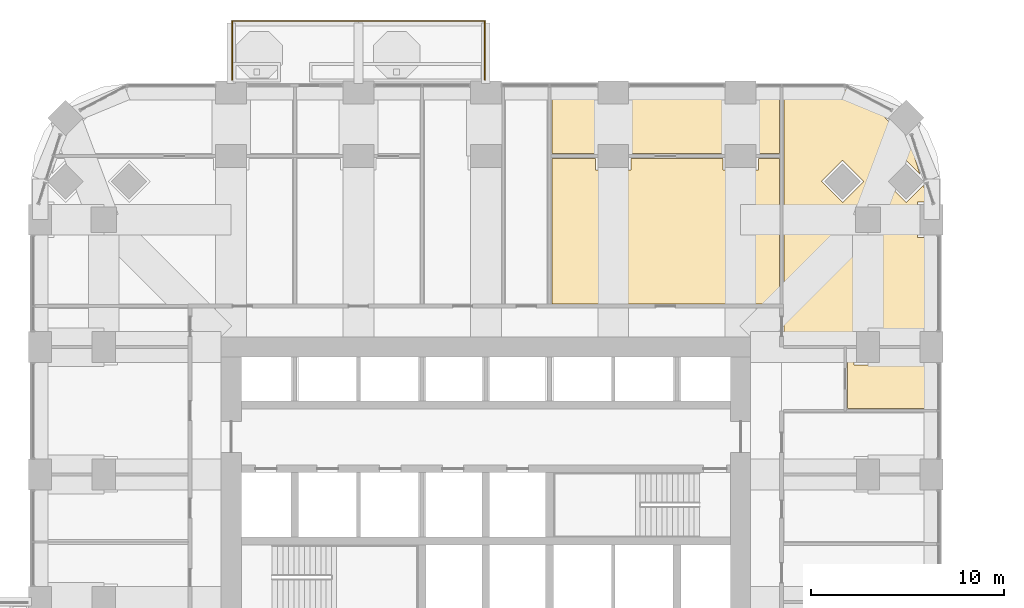
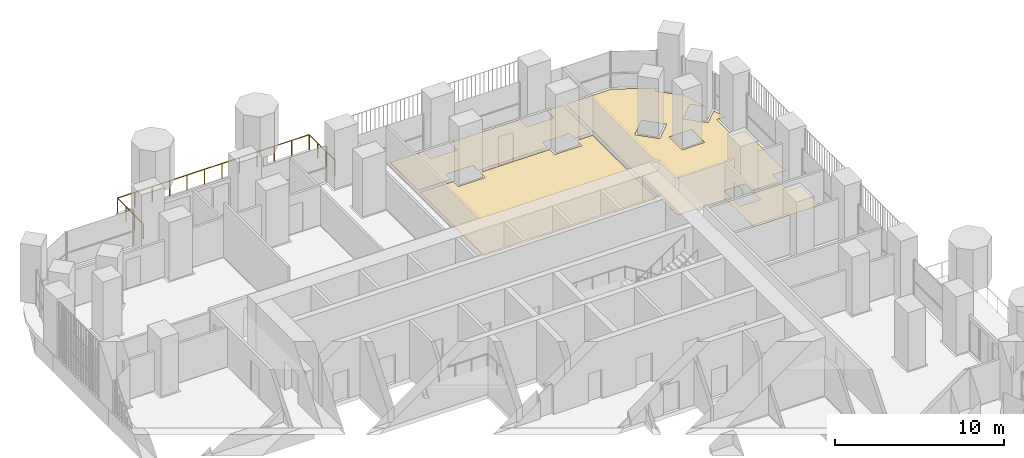
# One storey, part 20 of 21: 4 coverings, 1 railing.
"""IFC4 building model written with IfcOpenShell, lengths in metres."""

from ifc_helpers import new_model, si_unit, direction, frame, origin, place, context, subcontext, project, spatial, polyline, outline, extrude, material, layer, layer_set, type_object, element, save


model = new_model("IFC4")

# Units and contexts
model_context = context("Model", 3, precision=1e-05, world=origin(), true_north=direction((0.0, 1.0)))
body_context = subcontext(model_context, "Body", "Model", "MODEL_VIEW")
ifc_project = project(units=[si_unit("LENGTHUNIT", "METRE"), si_unit("AREAUNIT", "SQUARE_METRE"), si_unit("VOLUMEUNIT", "CUBIC_METRE"), si_unit("PLANEANGLEUNIT", "RADIAN"), si_unit("MASSUNIT", "GRAM", prefix="KILO")], contexts=[model_context])

# Site, building, storey
site_placement = place(None, origin())
site = spatial("IfcSite", under=ifc_project, at=site_placement, CompositionType="ELEMENT")
building_placement = place(site_placement, origin())
building = spatial("IfcBuilding", under=site, at=building_placement, Name="Cobogo Forest Laboratory Tower", CompositionType="ELEMENT")
storey_placement = place(building_placement, frame((0.0, 0.0, 141.0)))
storey = spatial("IfcBuildingStorey", under=building, at=storey_placement, Name="L32", CompositionType="ELEMENT", Elevation=141.0)

# Railing
ifc_material_1 = material(Name="Laminated glass balustrade", Category="glass")
railing_type = type_object("IfcRailingType", Name="BG1 glass balustrade 1100", PredefinedType="GUARDRAIL", material=ifc_material_1)
railing_placement = place(storey_placement, frame((13.25, 46.85009765625, 0.0)))
element("IfcRailing", 1, at=railing_placement, inside=storey, type_object=railing_type, Name="Balcony balustrade BAL-N1 L32", PredefinedType="GUARDRAIL", context=body_context, shape_type="SweptSolid", body=[
    extrude(outline(polyline([(0.022216796875, 0.00927734375), (0.00927734375, 0.022216796875), (-0.00927734375, 0.022216796875), (-0.022216796875, 0.00927734375), (-0.022216796875, -0.00927734375), (-0.00927734375, -0.022216796875), (0.00927734375, -0.022216796875), (0.022216796875, -0.00927734375), (0.022216796875, 0.00927734375)])), frame((0.0, 0.0, 1.077880859375), z_axis=(0.0, 1.0, 0.0), x_axis=(-1.0, 0.0, 0.0)), (0.0, 0.0, 1.0), 3.0498046875),
    extrude(outline(polyline([(0.022216796875, 0.00927734375), (0.00927734375, 0.022216796875), (-0.00927734375, 0.022216796875), (-0.022216796875, 0.00927734375), (-0.022216796875, -0.00927734375), (-0.00927734375, -0.022216796875), (0.00927734375, -0.022216796875), (0.022216796875, -0.00927734375), (0.022216796875, 0.00927734375)])), frame((0.0, 3.0498046875, 1.077880859375), z_axis=(1.0, 0.0, 0.0), x_axis=(0.0, 1.0, 0.0)), (0.0, 0.0, 1.0), 13.10009765625),
    extrude(outline(polyline([(0.022216796875, 0.00927734375), (0.00927734375, 0.022216796875), (-0.00927734375, 0.022216796875), (-0.022216796875, 0.00927734375), (-0.022216796875, -0.00927734375), (-0.00927734375, -0.022216796875), (0.00927734375, -0.022216796875), (0.022216796875, -0.00927734375), (0.022216796875, 0.00927734375)])), frame((13.10009765625, 3.0498046875, 1.077880859375), z_axis=(0.0, -1.0, 0.0), x_axis=(1.0, 0.0, 0.0)), (0.0, 0.0, 1.0), 3.0498046875),
    extrude(outline(polyline([(0.019287109375, 0.008056640625), (0.008056640625, 0.019287109375), (-0.008056640625, 0.019287109375), (-0.019287109375, 0.008056640625), (-0.019287109375, -0.008056640625), (-0.008056640625, -0.019287109375), (0.008056640625, -0.019287109375), (0.019287109375, -0.008056640625), (0.019287109375, 0.008056640625)])), origin(), (0.0, 0.0, 1.0), 1.077880859375),
    extrude(outline(polyline([(0.019287109375, 0.008056640625), (0.008056640625, 0.019287109375), (-0.008056640625, 0.019287109375), (-0.019287109375, 0.008056640625), (-0.019287109375, -0.008056640625), (-0.008056640625, -0.019287109375), (0.008056640625, -0.019287109375), (0.019287109375, -0.008056640625), (0.019287109375, 0.008056640625)])), frame((0.0, 1.0166015625, 0.0)), (0.0, 0.0, 1.0), 1.077880859375),
    extrude(outline(polyline([(0.019287109375, 0.008056640625), (0.008056640625, 0.019287109375), (-0.008056640625, 0.019287109375), (-0.019287109375, 0.008056640625), (-0.019287109375, -0.008056640625), (-0.008056640625, -0.019287109375), (0.008056640625, -0.019287109375), (0.019287109375, -0.008056640625), (0.019287109375, 0.008056640625)])), frame((0.0, 2.033203125, 0.0)), (0.0, 0.0, 1.0), 1.077880859375),
    extrude(outline(polyline([(0.019287109375, 0.008056640625), (0.008056640625, 0.019287109375), (-0.008056640625, 0.019287109375), (-0.019287109375, 0.008056640625), (-0.019287109375, -0.008056640625), (-0.008056640625, -0.019287109375), (0.008056640625, -0.019287109375), (0.019287109375, -0.008056640625), (0.019287109375, 0.008056640625)])), frame((0.0, 3.0498046875, 0.0)), (0.0, 0.0, 1.0), 1.077880859375),
    extrude(outline(polyline([(0.019287109375, 0.008056640625), (0.008056640625, 0.019287109375), (-0.008056640625, 0.019287109375), (-0.019287109375, 0.008056640625), (-0.019287109375, -0.008056640625), (-0.008056640625, -0.019287109375), (0.008056640625, -0.019287109375), (0.019287109375, -0.008056640625), (0.019287109375, 0.008056640625)])), frame((1.19091796875, 3.0498046875, 0.0)), (0.0, 0.0, 1.0), 1.077880859375),
    extrude(outline(polyline([(0.019287109375, 0.008056640625), (0.008056640625, 0.019287109375), (-0.008056640625, 0.019287109375), (-0.019287109375, 0.008056640625), (-0.019287109375, -0.008056640625), (-0.008056640625, -0.019287109375), (0.008056640625, -0.019287109375), (0.019287109375, -0.008056640625), (0.019287109375, 0.008056640625)])), frame((2.3818359375, 3.0498046875, 0.0)), (0.0, 0.0, 1.0), 1.077880859375),
    extrude(outline(polyline([(0.019287109375, 0.008056640625), (0.008056640625, 0.019287109375), (-0.008056640625, 0.019287109375), (-0.019287109375, 0.008056640625), (-0.019287109375, -0.008056640625), (-0.008056640625, -0.019287109375), (0.008056640625, -0.019287109375), (0.019287109375, -0.008056640625), (0.019287109375, 0.008056640625)])), frame((3.57275390625, 3.0498046875, 0.0)), (0.0, 0.0, 1.0), 1.077880859375),
    extrude(outline(polyline([(0.019287109375, 0.008056640625), (0.008056640625, 0.019287109375), (-0.008056640625, 0.019287109375), (-0.019287109375, 0.008056640625), (-0.019287109375, -0.008056640625), (-0.008056640625, -0.019287109375), (0.008056640625, -0.019287109375), (0.019287109375, -0.008056640625), (0.019287109375, 0.008056640625)])), frame((4.763671875, 3.0498046875, 0.0)), (0.0, 0.0, 1.0), 1.077880859375),
    extrude(outline(polyline([(0.019287109375, 0.008056640625), (0.008056640625, 0.019287109375), (-0.008056640625, 0.019287109375), (-0.019287109375, 0.008056640625), (-0.019287109375, -0.008056640625), (-0.008056640625, -0.019287109375), (0.008056640625, -0.019287109375), (0.019287109375, -0.008056640625), (0.019287109375, 0.008056640625)])), frame((5.95458984375, 3.0498046875, 0.0)), (0.0, 0.0, 1.0), 1.077880859375),
    extrude(outline(polyline([(0.019287109375, 0.008056640625), (0.008056640625, 0.019287109375), (-0.008056640625, 0.019287109375), (-0.019287109375, 0.008056640625), (-0.019287109375, -0.008056640625), (-0.008056640625, -0.019287109375), (0.008056640625, -0.019287109375), (0.019287109375, -0.008056640625), (0.019287109375, 0.008056640625)])), frame((7.1455078125, 3.0498046875, 0.0)), (0.0, 0.0, 1.0), 1.077880859375),
    extrude(outline(polyline([(0.019287109375, 0.008056640625), (0.008056640625, 0.019287109375), (-0.008056640625, 0.019287109375), (-0.019287109375, 0.008056640625), (-0.019287109375, -0.008056640625), (-0.008056640625, -0.019287109375), (0.008056640625, -0.019287109375), (0.019287109375, -0.008056640625), (0.019287109375, 0.008056640625)])), frame((8.33642578125, 3.0498046875, 0.0)), (0.0, 0.0, 1.0), 1.077880859375),
    extrude(outline(polyline([(0.019287109375, 0.008056640625), (0.008056640625, 0.019287109375), (-0.008056640625, 0.019287109375), (-0.019287109375, 0.008056640625), (-0.019287109375, -0.008056640625), (-0.008056640625, -0.019287109375), (0.008056640625, -0.019287109375), (0.019287109375, -0.008056640625), (0.019287109375, 0.008056640625)])), frame((9.52734375, 3.0498046875, 0.0)), (0.0, 0.0, 1.0), 1.077880859375),
    extrude(outline(polyline([(0.019287109375, 0.008056640625), (0.008056640625, 0.019287109375), (-0.008056640625, 0.019287109375), (-0.019287109375, 0.008056640625), (-0.019287109375, -0.008056640625), (-0.008056640625, -0.019287109375), (0.008056640625, -0.019287109375), (0.019287109375, -0.008056640625), (0.019287109375, 0.008056640625)])), frame((10.71826171875, 3.0498046875, 0.0)), (0.0, 0.0, 1.0), 1.077880859375),
    extrude(outline(polyline([(0.019287109375, 0.008056640625), (0.008056640625, 0.019287109375), (-0.008056640625, 0.019287109375), (-0.019287109375, 0.008056640625), (-0.019287109375, -0.008056640625), (-0.008056640625, -0.019287109375), (0.008056640625, -0.019287109375), (0.019287109375, -0.008056640625), (0.019287109375, 0.008056640625)])), frame((11.9091796875, 3.0498046875, 0.0)), (0.0, 0.0, 1.0), 1.077880859375),
    extrude(outline(polyline([(0.019287109375, 0.008056640625), (0.008056640625, 0.019287109375), (-0.008056640625, 0.019287109375), (-0.019287109375, 0.008056640625), (-0.019287109375, -0.008056640625), (-0.008056640625, -0.019287109375), (0.008056640625, -0.019287109375), (0.019287109375, -0.008056640625), (0.019287109375, 0.008056640625)])), frame((13.10009765625, 3.0498046875, 0.0)), (0.0, 0.0, 1.0), 1.077880859375),
    extrude(outline(polyline([(0.019287109375, 0.008056640625), (0.008056640625, 0.019287109375), (-0.008056640625, 0.019287109375), (-0.019287109375, 0.008056640625), (-0.019287109375, -0.008056640625), (-0.008056640625, -0.019287109375), (0.008056640625, -0.019287109375), (0.019287109375, -0.008056640625), (0.019287109375, 0.008056640625)])), frame((13.10009765625, 2.033203125, 0.0)), (0.0, 0.0, 1.0), 1.077880859375),
    extrude(outline(polyline([(0.019287109375, 0.008056640625), (0.008056640625, 0.019287109375), (-0.008056640625, 0.019287109375), (-0.019287109375, 0.008056640625), (-0.019287109375, -0.008056640625), (-0.008056640625, -0.019287109375), (0.008056640625, -0.019287109375), (0.019287109375, -0.008056640625), (0.019287109375, 0.008056640625)])), frame((13.10009765625, 1.0166015625, 0.0)), (0.0, 0.0, 1.0), 1.077880859375),
    extrude(outline(polyline([(0.019287109375, 0.008056640625), (0.008056640625, 0.019287109375), (-0.008056640625, 0.019287109375), (-0.019287109375, 0.008056640625), (-0.019287109375, -0.008056640625), (-0.008056640625, -0.019287109375), (0.008056640625, -0.019287109375), (0.019287109375, -0.008056640625), (0.019287109375, 0.008056640625)])), frame((13.10009765625, 0.0, 0.0)), (0.0, 0.0, 1.0), 1.077880859375),
])

# Coverings
ifc_material_2 = material(Name="Carpet tile on raised access floor", Category="flooring")
ifc_layer = layer(ifc_material_2, 0.008056640625)
ifc_layer_set = layer_set([ifc_layer], Name="CT1 carpet tile floor 8")
covering_type = type_object("IfcCoveringType", Name="CT1 carpet tile floor 8", PredefinedType="FLOORING", material=ifc_layer_set)
covering_1_placement = place(storey_placement, origin())
element("IfcCovering", 2, at=covering_1_placement, inside=storey, type_object=covering_type, Name="Carpet floor L32-13", PredefinedType="FLOORING", context=body_context, shape_type="SweptSolid", body=[
    extrude(outline(polyline([(45.14501953125, 32.8798828125), (45.47998046875, 32.8798828125), (45.47998046875, 32.080078125), (46.919921875, 32.080078125), (46.919921875, 32.8798828125), (48.780029296875, 32.8798828125), (48.780029296875, 32.080078125), (49.64990234375, 32.080078125), (49.64990234375, 29.820068359375), (45.14501953125, 29.820068359375), (45.14501953125, 32.8798828125)])), origin(), (0.0, 0.0, 1.0), 0.008056640625),
])
covering_2_placement = place(storey_placement, origin())
element("IfcCovering", 3, at=covering_2_placement, inside=storey, type_object=covering_type, Name="Carpet floor L32-14", PredefinedType="FLOORING", context=body_context, shape_type="SweptSolid", body=[
    extrude(outline(polyline([(41.844970703125, 46.35009765625), (44.95068359375, 46.35009765625), (47.3193359375, 45.1083984375), (47.093017578125, 44.882080078125), (48.181884765625, 43.79296875), (48.283935546875, 43.89501953125), (48.89599609375, 41.95703125), (48.181884765625, 42.6708984375), (47.093017578125, 41.58203125), (48.181884765625, 40.492919921875), (49.075927734375, 41.386962890625), (49.349853515625, 40.52001953125), (48.780029296875, 40.52001953125), (48.780029296875, 38.679931640625), (49.64990234375, 38.679931640625), (49.64990234375, 33.919921875), (48.780029296875, 33.919921875), (48.780029296875, 33.1201171875), (46.919921875, 33.1201171875), (46.919921875, 33.919921875), (45.47998046875, 33.919921875), (45.47998046875, 33.1201171875), (41.844970703125, 33.1201171875), (41.844970703125, 46.35009765625)]), holes=[polyline([(45.429931640625, 40.3701171875), (45.429931640625, 38.830078125), (46.969970703125, 38.830078125), (46.969970703125, 40.3701171875), (45.429931640625, 40.3701171875)]), polyline([(43.79296875, 41.58203125), (44.882080078125, 40.492919921875), (45.970947265625, 41.58203125), (44.882080078125, 42.6708984375), (43.79296875, 41.58203125)])]), origin(), (0.0, 0.0, 1.0), 0.008056640625),
])
covering_3_placement = place(storey_placement, origin())
element("IfcCovering", 4, at=covering_3_placement, inside=storey, type_object=covering_type, Name="Carpet floor L32-21", PredefinedType="FLOORING", context=body_context, shape_type="SweptSolid", body=[
    extrude(outline(polyline([(29.820068359375, 42.780029296875), (32.080078125, 42.780029296875), (32.080078125, 42.179931640625), (33.919921875, 42.179931640625), (33.919921875, 42.780029296875), (38.679931640625, 42.780029296875), (38.679931640625, 42.179931640625), (40.52001953125, 42.179931640625), (40.52001953125, 42.780029296875), (41.60498046875, 42.780029296875), (41.60498046875, 35.2451171875), (29.820068359375, 35.2451171875), (29.820068359375, 42.780029296875)])), origin(), (0.0, 0.0, 1.0), 0.008056640625),
])
covering_4_placement = place(storey_placement, origin())
element("IfcCovering", 5, at=covering_4_placement, inside=storey, type_object=covering_type, Name="Carpet floor L32-22", PredefinedType="FLOORING", context=body_context, shape_type="SweptSolid", body=[
    extrude(outline(polyline([(40.52001953125, 43.02001953125), (40.52001953125, 43.6201171875), (38.679931640625, 43.6201171875), (38.679931640625, 43.02001953125), (33.919921875, 43.02001953125), (33.919921875, 43.6201171875), (32.080078125, 43.6201171875), (32.080078125, 43.02001953125), (29.820068359375, 43.02001953125), (29.820068359375, 46.35009765625), (32.080078125, 46.35009765625), (32.080078125, 45.47998046875), (33.919921875, 45.47998046875), (33.919921875, 46.35009765625), (38.679931640625, 46.35009765625), (38.679931640625, 45.47998046875), (40.52001953125, 45.47998046875), (40.52001953125, 46.35009765625), (41.60498046875, 46.35009765625), (41.60498046875, 43.02001953125), (40.52001953125, 43.02001953125)])), origin(), (0.0, 0.0, 1.0), 0.008056640625),
])

save(model, "model.ifc")
